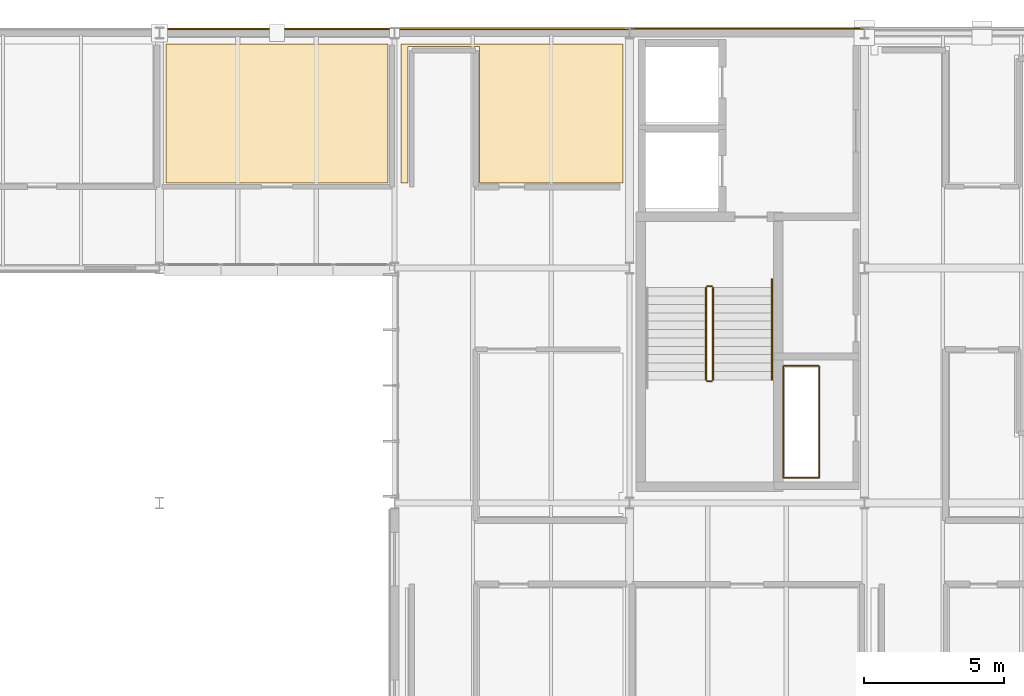
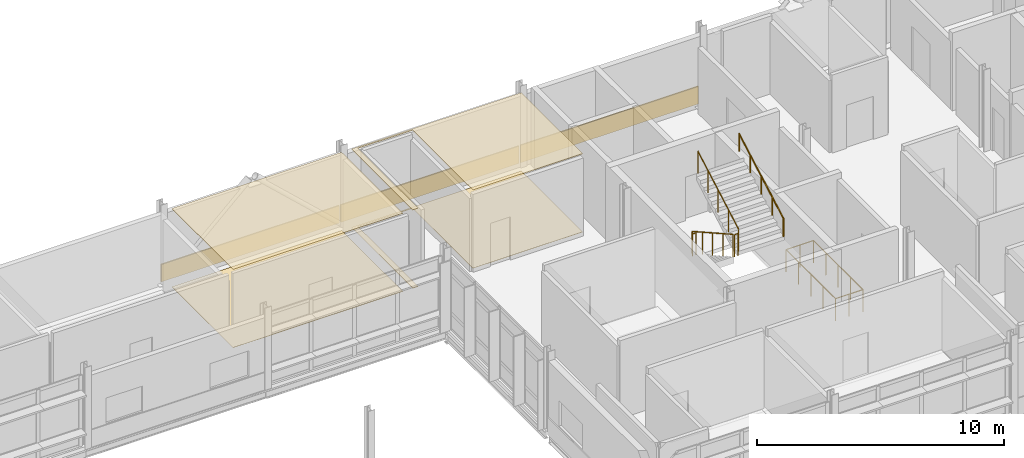
# One storey, part 65 of 66: 7 coverings, 6 railings.
"""IFC4 building model written with IfcOpenShell, lengths in metres."""

import ifcopenshell
import ifcopenshell.guid

model = None  # the IFC model being written
_history = None  # IfcOwnerHistory: only IFC2X3 demands one
_inside = {}  # id of a spatial element -> (the spatial element, [elements in it])
_under = {}  # id of a project, library or spatial element -> (it, [spatial elements below it])
_declared = {}  # id of a project -> (the project, [libraries it declares])
_typed = {}  # id of a type object -> (the type object, [elements of that type])
_made_of = {}  # id of a material, layer set ... -> (it, [elements and type objects made of it])


def new_model(schema):
    """Start an empty IFC model of exactly this schema.

    Asked for "IFC4X3", IfcOpenShell would pick the latest addendum, in which some entities
    have other attributes; the version numbers below select the first issue.
    IFC2X3 requires an IfcOwnerHistory on every rooted entity: one is made here for all.
    """
    global model, _history
    if schema == "IFC4X3":
        model = ifcopenshell.file(schema_version=(4, 3, 0, 0))
    else:
        model = ifcopenshell.file(schema=schema)
    _inside.clear()
    _under.clear()
    _declared.clear()
    _typed.clear()
    _made_of.clear()
    _history = None
    if model.schema == "IFC2X3":
        org = make("IfcOrganization", Name="unknown")
        user = make(
            "IfcPersonAndOrganization",
            ThePerson=make("IfcPerson", FamilyName="unknown"),
            TheOrganization=org,
        )
        app = make(
            "IfcApplication",
            ApplicationDeveloper=org,
            Version="unknown",
            ApplicationFullName="unknown",
            ApplicationIdentifier="unknown",
        )
        _history = make(
            "IfcOwnerHistory",
            OwningUser=user,
            OwningApplication=app,
            ChangeAction="ADDED",
            CreationDate=0,
        )
    return model


def make(cls, **values):
    """One entity of the class cls with the attributes given. An attribute that is None is left unset."""
    return model.create_entity(
        cls, **{name: value for name, value in values.items() if value is not None}
    )


def rooted(cls, **values):
    """An entity with a GlobalId (a new one), such as an element, a storey or a relation."""
    return make(cls, GlobalId=ifcopenshell.guid.new(), OwnerHistory=_history, **values)


def si_unit(unit_type, name, prefix=None):
    """IfcSIUnit, for example si_unit("LENGTHUNIT", "METRE", prefix="MILLI")."""
    return make("IfcSIUnit", UnitType=unit_type, Prefix=prefix, Name=name)


def assignment(units):
    """IfcUnitAssignment: the units of a project."""
    return None if units is None else make("IfcUnitAssignment", Units=units)


def point(xyz):
    """IfcCartesianPoint."""
    return None if xyz is None else make("IfcCartesianPoint", Coordinates=xyz)


def direction(xyz):
    """IfcDirection."""
    return None if xyz is None else make("IfcDirection", DirectionRatios=xyz)


def frame(location, z_axis=None, x_axis=None):
    """IfcAxis2Placement3D, a coordinate frame: its origin and axes. An axis left out is left unset."""
    return make(
        "IfcAxis2Placement3D",
        Location=point(location),
        Axis=direction(z_axis),
        RefDirection=direction(x_axis),
    )


def frame_2d(location, x_axis=None):
    """IfcAxis2Placement2D, a coordinate frame in the plane: its origin and x axis."""
    return make(
        "IfcAxis2Placement2D", Location=point(location), RefDirection=direction(x_axis)
    )


def origin():
    """The frame at (0, 0, 0) with its axes left unset."""
    return frame((0.0, 0.0, 0.0))


def origin_2d():
    """The frame at (0, 0) in the plane with its x axis left unset."""
    return frame_2d((0.0, 0.0))


def place(relative_to, where):
    """IfcLocalPlacement: puts the frame where relative to a parent placement (None: the world)."""
    return make(
        "IfcLocalPlacement", PlacementRelTo=relative_to, RelativePlacement=where
    )


def context(
    kind, dimensions, precision=None, world=None, true_north=None, identifier=None
):
    """IfcGeometricRepresentationContext, for example the 3D "Model" context."""
    return make(
        "IfcGeometricRepresentationContext",
        ContextIdentifier=identifier,
        ContextType=kind,
        CoordinateSpaceDimension=dimensions,
        Precision=precision,
        WorldCoordinateSystem=world,
        TrueNorth=true_north,
    )


def subcontext(parent, identifier, kind, view, scale=None):
    """IfcGeometricRepresentationSubContext, for example "Body" below "Model"."""
    return make(
        "IfcGeometricRepresentationSubContext",
        ContextIdentifier=identifier,
        ContextType=kind,
        ParentContext=parent,
        TargetScale=scale,
        TargetView=view,
    )


def project(units=None, contexts=None):
    """IfcProject with its units and contexts."""
    return rooted(
        "IfcProject",
        Name="project",
        RepresentationContexts=contexts,
        UnitsInContext=assignment(units),
    )


def spatial(cls, under=None, at=None, **own):
    """A site, building, storey or space (cls), placed at a placement, below another one or the project."""
    s = rooted(cls, ObjectPlacement=at, **own)
    if under is not None:
        _under.setdefault(under.id(), (under, []))[1].append(s)
    return s


def polyline(points):
    """IfcPolyline through the points."""
    return make("IfcPolyline", Points=[point(p) for p in points])


def profile(cls, at=None, kind="AREA", **sizes):
    """A parametric profile (cls). Its sizes go by their IFC names, for example OverallWidth=200.0."""
    return make(cls, ProfileType=kind, Position=at, **sizes)


def rectangle(**sizes):
    """IfcRectangleProfileDef."""
    return profile("IfcRectangleProfileDef", **sizes)


def circle(**sizes):
    """IfcCircleProfileDef."""
    return profile("IfcCircleProfileDef", **sizes)


def outline(outer, holes=None, kind="AREA"):
    """IfcArbitraryClosedProfileDef: a profile drawn as a closed curve; with holes, ...WithVoids."""
    if holes is None:
        return make("IfcArbitraryClosedProfileDef", ProfileType=kind, OuterCurve=outer)
    return make(
        "IfcArbitraryProfileDefWithVoids",
        ProfileType=kind,
        OuterCurve=outer,
        InnerCurves=holes,
    )


def extrude(swept, where, along, depth):
    """IfcExtrudedAreaSolid: the profile swept, set in the frame where, extruded along a direction by depth."""
    return make(
        "IfcExtrudedAreaSolid",
        SweptArea=swept,
        Position=where,
        ExtrudedDirection=direction(along),
        Depth=depth,
    )


def shape(context_of_items, identifier, shape_type, items):
    """IfcShapeRepresentation: the items that make up one representation, for example the "Body"."""
    return make(
        "IfcShapeRepresentation",
        ContextOfItems=context_of_items,
        RepresentationIdentifier=identifier,
        RepresentationType=shape_type,
        Items=items,
    )


def material(Name=None, Category=None):
    """IfcMaterial."""
    return make("IfcMaterial", Name=Name, Category=Category)


def layer(
    of_material, thickness, ventilated=None, Name=None, Category=None, Priority=None
):
    """IfcMaterialLayer: one layer of a wall or slab, of a material (None: an air gap)."""
    return make(
        "IfcMaterialLayer",
        Material=of_material,
        LayerThickness=thickness,
        IsVentilated=ventilated,
        Name=Name,
        Category=Category,
        Priority=Priority,
    )


def layer_set(layers, Name=None):
    """IfcMaterialLayerSet."""
    return make("IfcMaterialLayerSet", MaterialLayers=layers, LayerSetName=Name)


def made_of(thing, what):
    """Note that an element or type object is made of a material, layer set ...; save() writes the relation."""
    if what is not None:
        _made_of.setdefault(what.id(), (what, []))[1].append(thing)
    return thing


def type_object(cls, material=None, **own):
    """A type object (cls), such as IfcWallType, which elements share."""
    return made_of(rooted(cls, **own), material)


def element(
    cls,
    number,
    at=None,
    inside=None,
    cuts=None,
    type_object=None,
    material=None,
    context=None,
    identifier="Body",
    shape_type=None,
    held_by="IfcProductDefinitionShape",
    body=None,
    shapes=None,
    **own,
):
    """One element of the class cls, such as IfcWall. Its Tag is "e" and its number.

    at: its placement. inside: the storey or other place that contains it. cuts: it is an
    opening in that element (IfcRelVoidsElement). A single representation is given by context,
    identifier, shape_type and body (its items); several are given by shapes. held_by: the class
    of the entity that holds the representations. save() writes the other relations.
    """
    e = rooted(cls, Tag="e%d" % number, ObjectPlacement=at, **own)
    if body is not None:
        shapes = [shape(context, identifier, shape_type, body)]
    if shapes is not None:
        e.Representation = make(held_by, Representations=shapes)
    if inside is not None:
        _inside.setdefault(inside.id(), (inside, []))[1].append(e)
    if cuts is not None:
        rooted(
            "IfcRelVoidsElement", RelatingBuildingElement=cuts, RelatedOpeningElement=e
        )
    if type_object is not None:
        _typed.setdefault(type_object.id(), (type_object, []))[1].append(e)
    return made_of(e, material)


def aggregate(whole, parts):
    """IfcRelAggregates: a whole, such as a stair, and the parts it consists of."""
    return rooted("IfcRelAggregates", RelatingObject=whole, RelatedObjects=parts)


def save(model, path):
    """Write the relations noted so far, then the file.

    IfcRelAggregates (storeys below a building ...), IfcRelContainedInSpatialStructure (elements
    in a storey), IfcRelDefinesByType, IfcRelAssociatesMaterial and IfcRelDeclares: one each for
    every whole, place, type object, material and project.
    """
    for whole, parts in _under.values():
        aggregate(whole, parts)
    for where, things in _inside.values():
        rooted(
            "IfcRelContainedInSpatialStructure",
            RelatedElements=things,
            RelatingStructure=where,
        )
    for kind, things in _typed.values():
        rooted("IfcRelDefinesByType", RelatedObjects=things, RelatingType=kind)
    for what, things in _made_of.values():
        rooted("IfcRelAssociatesMaterial", RelatedObjects=things, RelatingMaterial=what)
    for by, libraries in _declared.values():
        rooted("IfcRelDeclares", RelatingContext=by, RelatedDefinitions=libraries)
    model.write(path)


model = new_model("IFC4")

# Units and contexts
model_context = context("Model", 3, precision=1e-05, world=origin(), true_north=direction((0.0, 1.0)))
body_context = subcontext(model_context, "Body", "Model", "MODEL_VIEW")
ifc_project = project(units=[si_unit("LENGTHUNIT", "METRE"), si_unit("AREAUNIT", "SQUARE_METRE"), si_unit("VOLUMEUNIT", "CUBIC_METRE"), si_unit("PLANEANGLEUNIT", "RADIAN"), si_unit("MASSUNIT", "GRAM", prefix="KILO")], contexts=[model_context])

# Site, building, storey
site_placement = place(None, origin())
site = spatial("IfcSite", under=ifc_project, at=site_placement, CompositionType="ELEMENT")
building_placement = place(site_placement, origin())
building = spatial("IfcBuilding", under=site, at=building_placement, Name="Mersafa Astral City Hall", CompositionType="ELEMENT")
storey_placement = place(building_placement, frame((0.0, 0.0, 22.050048828125)))
storey = spatial("IfcBuildingStorey", under=building, at=storey_placement, Name="L05", CompositionType="ELEMENT", Elevation=22.050048828125)

# Coverings
ifc_material_1 = material(Name="Cairo Mokattam buff limestone cladding", Category="masonry")
ifc_layer_1 = layer(ifc_material_1, 0.06005859375, Name="Cairo Mokattam buff limestone cladding")
ifc_layer_set_1 = layer_set([ifc_layer_1], Name="Cairo Mokattam buff limestone cladding — ENV-COV-LIMESTONE-60")
covering_type_1 = type_object("IfcCoveringType", Name="ENV-COV-LIMESTONE-60", PredefinedType="CLADDING", material=ifc_layer_set_1)
for number, where, z_axis, x_axis, name in (
    (1, (155.39990234375, 126.162109375, 0.0), (0.0, 0.0, 1.0), (-1.0, 0.0, 0.0), "L05 Cairo buff limestone rainscreen cladding 328"),
    (2, (147.0, 126.154541015625, 0.0), (0.0, 0.0, 1.0), (-1.0, 0.0, 0.0), "L05 Cairo buff limestone rainscreen cladding 329"),
    (3, (138.60009765625, 126.14697265625, 0.0), (0.0, 0.0, 1.0), (-1.0, 0.0, 0.0), "L05 Cairo buff limestone rainscreen cladding 330"),
):
    element("IfcCovering", number, at=place(storey_placement, frame(where, z_axis=z_axis, x_axis=x_axis)), inside=storey, type_object=covering_type_1, Name=name, PredefinedType="CLADDING", context=body_context, shape_type="SweptSolid", body=[
        extrude(rectangle(XDim=8.323974609375, YDim=0.06005859375, at=origin_2d()), origin(), (0.0, 0.0, 1.0), 0.860107421875),
    ])

# Railings
ifc_material_2 = material(Name="Painted architectural steel stair guard balustrade", Category="steel")
railing_type_1 = type_object("IfcRailingType", Name="GUARD-RAIL", PredefinedType="BALUSTRADE", material=ifc_material_2)
railing_1_placement = place(storey_placement, frame((153.929931640625, 116.89990234375, 0.168701171875)))
element("IfcRailing", 4, at=railing_1_placement, inside=storey, type_object=railing_type_1, Name="L05 ST1 stair guard 1", PredefinedType="BALUSTRADE", context=body_context, shape_type="SweptSolid", body=[
    extrude(circle(Radius=0.02392578125, at=origin_2d()), frame((0.0, 0.0, 1.09619140625), z_axis=(0.0, -0.871568648517, 0.490273485845), x_axis=(1.0, 0.0, 0.0)), (0.0, 0.0, 1.0), 3.7861328125),
    extrude(circle(Radius=0.02099609375, at=origin_2d()), origin(), (0.0, 0.0, 1.0), 1.072021484375),
    extrude(circle(Radius=0.02099609375, at=origin_2d()), frame((0.0, -0.824951171875, 0.464111328125)), (0.0, 0.0, 1.0), 1.072021484375),
    extrude(circle(Radius=0.02099609375, at=origin_2d()), frame((0.0, -1.64990234375, 0.92822265625)), (0.0, 0.0, 1.0), 1.072021484375),
    extrude(circle(Radius=0.02099609375, at=origin_2d()), frame((0.0, -2.474853515625, 1.39208984375)), (0.0, 0.0, 1.0), 1.072021484375),
    extrude(circle(Radius=0.02099609375, at=origin_2d()), frame((0.0, -3.2998046875, 1.856201171875)), (0.0, 0.0, 1.0), 1.072021484375),
])
railing_2_placement = place(storey_placement, frame((153.97998046875, 113.550048828125, 2.02490234375)))
element("IfcRailing", 5, at=railing_2_placement, inside=storey, type_object=railing_type_1, Name="L05 ST1 stair guard 2", PredefinedType="BALUSTRADE", context=body_context, shape_type="SweptSolid", body=[
    extrude(circle(Radius=0.02392578125, at=origin_2d()), frame((0.0, 0.0, 1.09619140625), z_axis=(1.0, 0.0, 0.0), x_axis=(0.0, 1.0, 0.0)), (0.0, 0.0, 1.0), 0.159912109375),
    extrude(circle(Radius=0.02099609375, at=origin_2d()), origin(), (0.0, 0.0, 1.0), 1.072021484375),
    extrude(circle(Radius=0.02099609375, at=origin_2d()), frame((0.159912109375, 0.0, 0.0)), (0.0, 0.0, 1.0), 1.072021484375),
])
railing_3_placement = place(storey_placement, frame((154.18994140625, 113.60009765625, 2.193603515625)))
element("IfcRailing", 6, at=railing_3_placement, inside=storey, type_object=railing_type_1, Name="L05 ST1 stair guard 3", PredefinedType="BALUSTRADE", context=body_context, shape_type="SweptSolid", body=[
    extrude(circle(Radius=0.02392578125, at=origin_2d()), frame((0.0, 0.0, 1.09619140625), z_axis=(0.0, 0.871541093455, 0.490322467789), x_axis=(-1.0, 0.0, 0.0)), (0.0, 0.0, 1.0), 3.7861328125),
    extrude(circle(Radius=0.02099609375, at=origin_2d()), origin(), (0.0, 0.0, 1.0), 1.072021484375),
    extrude(circle(Radius=0.02099609375, at=origin_2d()), frame((0.0, 0.824951171875, 0.464111328125)), (0.0, 0.0, 1.0), 1.072021484375),
    extrude(circle(Radius=0.02099609375, at=origin_2d()), frame((0.0, 1.64990234375, 0.92822265625)), (0.0, 0.0, 1.0), 1.072021484375),
    extrude(circle(Radius=0.02099609375, at=origin_2d()), frame((0.0, 2.474853515625, 1.392333984375)), (0.0, 0.0, 1.0), 1.072021484375),
    extrude(circle(Radius=0.02099609375, at=origin_2d()), frame((0.0, 3.2998046875, 1.8564453125)), (0.0, 0.0, 1.0), 1.072021484375),
])
railing_4_placement = place(storey_placement, frame((153.97998046875, 116.949951171875, 0.0)))
element("IfcRailing", 7, at=railing_4_placement, inside=storey, type_object=railing_type_1, Name="L05 ST1 stair guard 4", PredefinedType="BALUSTRADE", context=body_context, shape_type="SweptSolid", body=[
    extrude(circle(Radius=0.02392578125, at=origin_2d()), frame((0.0, 0.0, 1.09619140625), z_axis=(1.0, 0.0, 0.0), x_axis=(0.0, 1.0, 0.0)), (0.0, 0.0, 1.0), 0.159912109375),
    extrude(circle(Radius=0.02099609375, at=origin_2d()), origin(), (0.0, 0.0, 1.0), 1.072021484375),
    extrude(circle(Radius=0.02099609375, at=origin_2d()), frame((0.159912109375, 0.0, 0.0)), (0.0, 0.0, 1.0), 1.072021484375),
])
railing_5_placement = place(storey_placement, frame((156.699951171875, 110.10009765625, 0.0)))
element("IfcRailing", 8, at=railing_5_placement, inside=storey, type_object=railing_type_1, Name="L05 K1 MEP Riser Shaft Guard", PredefinedType="BALUSTRADE", context=body_context, shape_type="SweptSolid", body=[
    extrude(circle(Radius=0.02392578125, at=origin_2d()), frame((0.0, 0.0, 1.09619140625), z_axis=(1.0, 0.0, 0.0), x_axis=(0.0, 1.0, 0.0)), (0.0, 0.0, 1.0), 1.280029296875),
    extrude(circle(Radius=0.02392578125, at=origin_2d()), frame((1.280029296875, 0.0, 1.09619140625), z_axis=(0.0, 1.0, 0.0), x_axis=(-1.0, 0.0, 0.0)), (0.0, 0.0, 1.0), 4.0),
    extrude(circle(Radius=0.02392578125, at=origin_2d()), frame((1.280029296875, 4.0, 1.09619140625), z_axis=(-1.0, 0.0, 0.0), x_axis=(0.0, -1.0, 0.0)), (0.0, 0.0, 1.0), 1.280029296875),
    extrude(circle(Radius=0.02392578125, at=origin_2d()), frame((0.0, 4.0, 1.09619140625), z_axis=(0.0, -1.0, 0.0), x_axis=(1.0, 0.0, 0.0)), (0.0, 0.0, 1.0), 4.0),
    extrude(circle(Radius=0.02099609375, at=origin_2d()), origin(), (0.0, 0.0, 1.0), 1.072021484375),
    extrude(circle(Radius=0.02099609375, at=origin_2d()), frame((0.64013671875, 0.0, 0.0)), (0.0, 0.0, 1.0), 1.072021484375),
    extrude(circle(Radius=0.02099609375, at=origin_2d()), frame((1.280029296875, 0.0, 0.0)), (0.0, 0.0, 1.0), 1.072021484375),
    extrude(circle(Radius=0.02099609375, at=origin_2d()), frame((1.280029296875, 1.0, 0.0)), (0.0, 0.0, 1.0), 1.072021484375),
    extrude(circle(Radius=0.02099609375, at=origin_2d()), frame((1.280029296875, 2.0, 0.0)), (0.0, 0.0, 1.0), 1.072021484375),
    extrude(circle(Radius=0.02099609375, at=origin_2d()), frame((1.280029296875, 3.0, 0.0)), (0.0, 0.0, 1.0), 1.072021484375),
    extrude(circle(Radius=0.02099609375, at=origin_2d()), frame((1.280029296875, 4.0, 0.0)), (0.0, 0.0, 1.0), 1.072021484375),
    extrude(circle(Radius=0.02099609375, at=origin_2d()), frame((0.64013671875, 4.0, 0.0)), (0.0, 0.0, 1.0), 1.072021484375),
    extrude(circle(Radius=0.02099609375, at=origin_2d()), frame((0.0, 4.0, 0.0)), (0.0, 0.0, 1.0), 1.072021484375),
    extrude(circle(Radius=0.02099609375, at=origin_2d()), frame((0.0, 3.0, 0.0)), (0.0, 0.0, 1.0), 1.072021484375),
    extrude(circle(Radius=0.02099609375, at=origin_2d()), frame((0.0, 2.0, 0.0)), (0.0, 0.0, 1.0), 1.072021484375),
    extrude(circle(Radius=0.02099609375, at=origin_2d()), frame((0.0, 1.0, 0.0)), (0.0, 0.0, 1.0), 1.072021484375),
])
ifc_material_3 = material(Name="Brushed stainless steel tubular handrail", Category="steel")
railing_type_2 = type_object("IfcRailingType", Name="HANDRAIL", PredefinedType="HANDRAIL", material=ifc_material_3)
railing_6_placement = place(storey_placement, frame((156.2900390625, 113.60009765625, 2.193603515625)))
element("IfcRailing", 9, at=railing_6_placement, inside=storey, type_object=railing_type_2, Name="L05 ST1 stair handrail 2", PredefinedType="HANDRAIL", context=body_context, shape_type="SweptSolid", body=[
    extrude(circle(Radius=0.02392578125, at=origin_2d()), frame((0.0, 0.0, 0.8759765625), z_axis=(0.0, 0.871248695433, 0.49084183879), x_axis=(-1.0, 0.0, 0.0)), (0.0, 0.0, 1.0), 4.1318359375),
    extrude(circle(Radius=0.02099609375, at=origin_2d()), origin(), (0.0, 0.0, 1.0), 0.851806640625),
    extrude(circle(Radius=0.02099609375, at=origin_2d()), frame((0.0, 0.89990234375, 0.507080078125)), (0.0, 0.0, 1.0), 0.851806640625),
    extrude(circle(Radius=0.02099609375, at=origin_2d()), frame((0.0, 1.7998046875, 1.01416015625)), (0.0, 0.0, 1.0), 0.851806640625),
    extrude(circle(Radius=0.02099609375, at=origin_2d()), frame((0.0, 2.699951171875, 1.52099609375)), (0.0, 0.0, 1.0), 0.851806640625),
    extrude(circle(Radius=0.02099609375, at=origin_2d()), frame((0.0, 3.599853515625, 2.028076171875)), (0.0, 0.0, 1.0), 0.851806640625),
])

# Coverings
ifc_material_4 = material(Name="Perforated acoustic gypsum board ceiling", Category="gypsum")
ifc_layer_2 = layer(ifc_material_4, 0.02490234375, Name="Perforated acoustic gypsum board ceiling")
ifc_layer_set_2 = layer_set([ifc_layer_2], Name="Perforated acoustic gypsum board ceiling — INT-COV-CEIL-25")
covering_type_2 = type_object("IfcCoveringType", Name="INT-COV-CEIL-25", PredefinedType="CEILING", material=ifc_layer_set_2)
covering_1_placement = place(storey_placement, frame((0.0, 0.0, 3.85595703125)))
element("IfcCovering", 10, at=covering_1_placement, inside=storey, type_object=covering_type_2, Name="L05 Deputy Mayor Executive Suite L05-09 acoustic ceiling", PredefinedType="CEILING", context=body_context, shape_type="SweptSolid", body=[
    extrude(outline(polyline([(142.570068359375, 125.60009765625), (142.570068359375, 120.639892578125), (134.6298828125, 120.639892578125), (134.6298828125, 125.60009765625), (142.570068359375, 125.60009765625)])), origin(), (0.0, 0.0, 1.0), 0.02490234375),
])
covering_2_placement = place(storey_placement, frame((0.0, 0.0, 3.85595703125)))
element("IfcCovering", 11, at=covering_2_placement, inside=storey, type_object=covering_type_2, Name="L05 Executive Secretariat Office L05-15 acoustic ceiling", PredefinedType="CEILING", context=body_context, shape_type="SweptSolid", body=[
    extrude(outline(polyline([(143.280029296875, 125.52001953125), (143.280029296875, 120.639892578125), (143.030029296875, 120.639892578125), (143.030029296875, 125.60009765625), (150.969970703125, 125.60009765625), (150.969970703125, 120.639892578125), (145.840087890625, 120.639892578125), (145.840087890625, 125.52001953125), (143.280029296875, 125.52001953125)])), origin(), (0.0, 0.0, 1.0), 0.02490234375),
])
ifc_material_5 = material(Name="Heavy-duty woven acoustic carpet tile", Category="finish")
ifc_layer_3 = layer(ifc_material_5, 0.014892578125, Name="Heavy-duty woven acoustic carpet tile")
ifc_layer_set_3 = layer_set([ifc_layer_3], Name="Heavy-duty woven acoustic carpet tile — INT-COV-FLR-15")
covering_type_3 = type_object("IfcCoveringType", Name="INT-COV-FLR-15", PredefinedType="FLOORING", material=ifc_layer_set_3)
covering_3_placement = place(storey_placement, frame((0.0, 0.0, -0.00146484375)))
element("IfcCovering", 12, at=covering_3_placement, inside=storey, type_object=covering_type_3, Name="L05 Deputy Mayor Executive Suite L05-09 architectural flooring", PredefinedType="FLOORING", context=body_context, shape_type="SweptSolid", body=[
    extrude(outline(polyline([(142.570068359375, 125.60009765625), (142.570068359375, 120.639892578125), (134.6298828125, 120.639892578125), (134.6298828125, 125.60009765625), (142.570068359375, 125.60009765625)])), origin(), (0.0, 0.0, 1.0), 0.014892578125),
])
covering_4_placement = place(storey_placement, frame((0.0, 0.0, -0.00146484375)))
element("IfcCovering", 13, at=covering_4_placement, inside=storey, type_object=covering_type_3, Name="L05 Executive Secretariat Office L05-15 architectural flooring", PredefinedType="FLOORING", context=body_context, shape_type="SweptSolid", body=[
    extrude(outline(polyline([(143.280029296875, 125.52001953125), (143.280029296875, 120.639892578125), (143.030029296875, 120.639892578125), (143.030029296875, 125.60009765625), (150.969970703125, 125.60009765625), (150.969970703125, 120.639892578125), (145.840087890625, 120.639892578125), (145.840087890625, 125.52001953125), (143.280029296875, 125.52001953125)])), origin(), (0.0, 0.0, 1.0), 0.014892578125),
])

save(model, "model.ifc")
